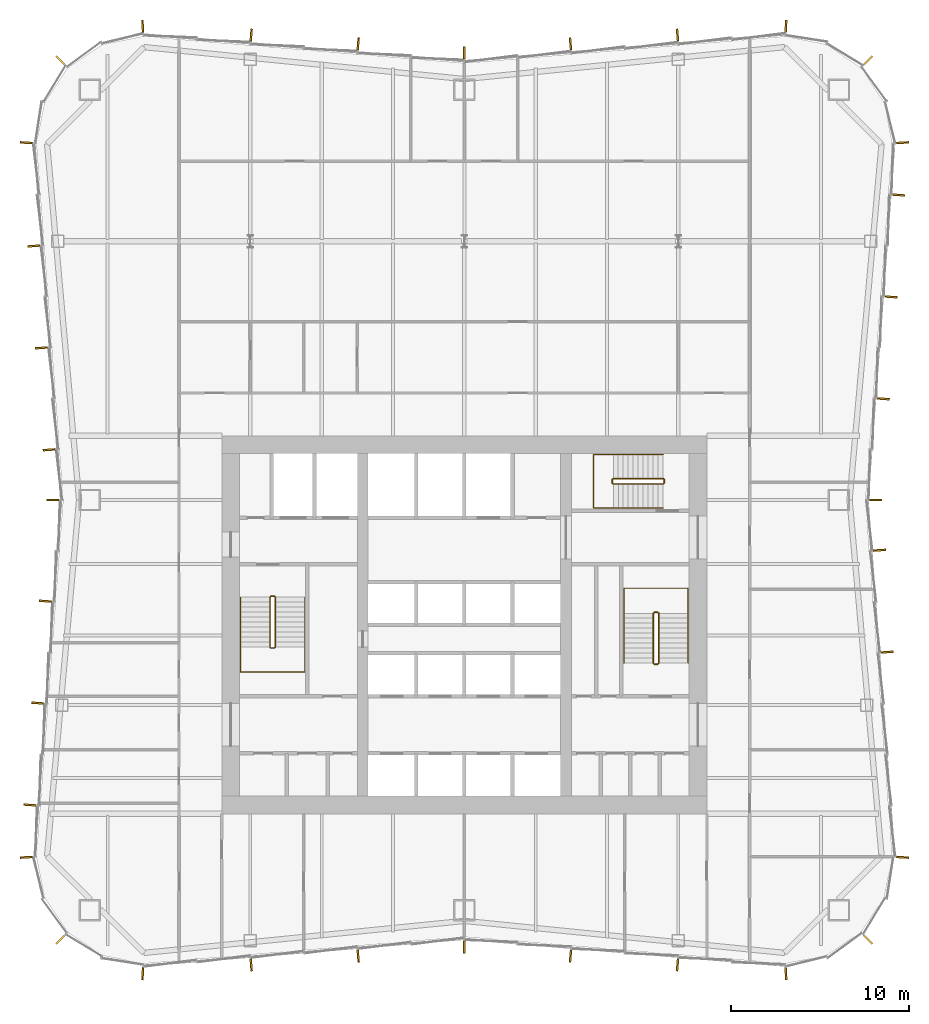
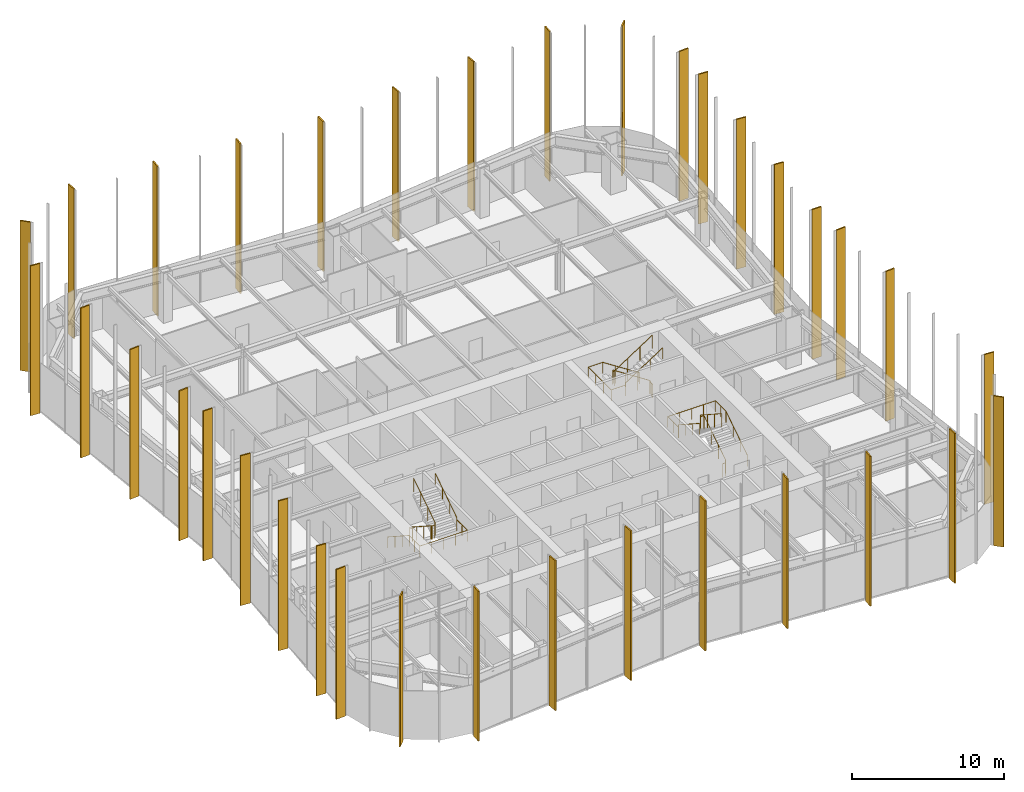
# One storey, part 13 of 13: 35 shading devices, 6 railings.
"""IFC4 building model written with IfcOpenShell, lengths in metres."""

from ifc_helpers import new_model, si_unit, direction, frame, origin, origin_2d, place, context, subcontext, project, spatial, rectangle, circle, extrude, material, layer, layer_set, type_object, element, save


model = new_model("IFC4")

# Units and contexts
model_context = context("Model", 3, precision=1e-05, world=origin(), true_north=direction((0.0, 1.0)))
body_context = subcontext(model_context, "Body", "Model", "MODEL_VIEW")
ifc_project = project(units=[si_unit("LENGTHUNIT", "METRE"), si_unit("AREAUNIT", "SQUARE_METRE"), si_unit("VOLUMEUNIT", "CUBIC_METRE"), si_unit("PLANEANGLEUNIT", "RADIAN"), si_unit("MASSUNIT", "GRAM", prefix="KILO")], contexts=[model_context])

# Site, building, storey
site_placement = place(None, origin())
site = spatial("IfcSite", under=ifc_project, at=site_placement, CompositionType="ELEMENT")
building_placement = place(site_placement, origin())
building = spatial("IfcBuilding", under=site, at=building_placement, Name="Verdant Reach Tower", CompositionType="ELEMENT")
storey_placement = place(building_placement, frame((0.0, 0.0, 126.0)))
storey = spatial("IfcBuildingStorey", under=building, at=storey_placement, Name="L28", CompositionType="ELEMENT", Elevation=126.0)

# Railings
ifc_material_1 = material(Name="Stainless steel", Category="steel")
railing_type_1 = type_object("IfcRailingType", Name="CO-GUARD", PredefinedType="GUARDRAIL", material=ifc_material_1)
railing_1_placement = place(storey_placement, frame((-10.64990234375, 29.60009765625, 0.0)))
element("IfcRailing", 1, at=railing_1_placement, inside=storey, type_object=railing_type_1, Name="L28 ST-1 stair guard 1", PredefinedType="GUARDRAIL", context=body_context, shape_type="SweptSolid", body=[
    extrude(circle(Radius=0.02392578125, at=origin_2d()), frame((0.0, 0.0, 1.076171875), z_axis=(-1.0, 0.0, 0.0), x_axis=(0.0, -1.0, 0.0)), (0.0, 0.0, 1.0), 0.2001953125),
    extrude(circle(Radius=0.02392578125, at=origin_2d()), frame((-0.2001953125, 0.0, 1.076171875), z_axis=(-0.25526617399, -0.256517478764, 0.932222056972), x_axis=(0.708833529934, -0.705375805398, 0.0)), (0.0, 0.0, 1.0), 0.195068359375),
    extrude(circle(Radius=0.02392578125, at=origin_2d()), frame((-0.25, -0.050048828125, 1.2578125), z_axis=(0.0, -0.838705829183, 0.544584733623), x_axis=(1.0, 0.0, 0.0)), (0.0, 0.0, 1.0), 3.338623046875),
    extrude(circle(Radius=0.02392578125, at=origin_2d()), frame((-0.25, -2.85009765625, 3.076171875), z_axis=(0.705375805398, -0.708833529934, 0.0), x_axis=(0.708833529934, 0.705375805398, 0.0)), (0.0, 0.0, 1.0), 0.070556640625),
    extrude(circle(Radius=0.02392578125, at=origin_2d()), frame((-0.2001953125, -2.900146484375, 3.076171875), z_axis=(1.0, 0.0, 0.0), x_axis=(0.0, 1.0, 0.0)), (0.0, 0.0, 1.0), 0.2001953125),
    extrude(circle(Radius=0.02392578125, at=origin_2d()), frame((0.0, -2.900146484375, 3.076171875), z_axis=(0.25526617399, 0.256517478764, 0.932222056972), x_axis=(-0.708833529934, 0.705375805398, 0.0)), (0.0, 0.0, 1.0), 0.195068359375),
    extrude(circle(Radius=0.02392578125, at=origin_2d()), frame((0.0498046875, -2.85009765625, 3.2578125), z_axis=(0.0, 0.838705829183, 0.544584733623), x_axis=(-1.0, 0.0, 0.0)), (0.0, 0.0, 1.0), 3.338623046875),
    extrude(circle(Radius=0.02099609375, at=origin_2d()), origin(), (0.0, 0.0, 1.0), 1.052001953125),
    extrude(circle(Radius=0.02099609375, at=origin_2d()), frame((-0.2001953125, 0.0, 0.0)), (0.0, 0.0, 1.0), 1.052001953125),
    extrude(circle(Radius=0.02099609375, at=origin_2d()), frame((-0.25, -0.050048828125, 0.181884765625)), (0.0, 0.0, 1.0), 1.052001953125),
    extrude(circle(Radius=0.02099609375, at=origin_2d()), frame((-0.25, -0.9833984375, 0.787841796875)), (0.0, 0.0, 1.0), 1.052001953125),
    extrude(circle(Radius=0.02099609375, at=origin_2d()), frame((-0.25, -1.916748046875, 1.39404296875)), (0.0, 0.0, 1.0), 1.052001953125),
    extrude(circle(Radius=0.02099609375, at=origin_2d()), frame((-0.25, -2.85009765625, 2.0)), (0.0, 0.0, 1.0), 1.052001953125),
    extrude(circle(Radius=0.02099609375, at=origin_2d()), frame((-0.2001953125, -2.900146484375, 2.0)), (0.0, 0.0, 1.0), 1.052001953125),
    extrude(circle(Radius=0.02099609375, at=origin_2d()), frame((0.0, -2.900146484375, 2.0)), (0.0, 0.0, 1.0), 1.052001953125),
    extrude(circle(Radius=0.02099609375, at=origin_2d()), frame((0.0498046875, -2.85009765625, 2.181884765625)), (0.0, 0.0, 1.0), 1.052001953125),
    extrude(circle(Radius=0.02099609375, at=origin_2d()), frame((0.0498046875, -1.916748046875, 2.787841796875)), (0.0, 0.0, 1.0), 1.052001953125),
    extrude(circle(Radius=0.02099609375, at=origin_2d()), frame((0.0498046875, -0.9833984375, 3.39404296875)), (0.0, 0.0, 1.0), 1.052001953125),
    extrude(circle(Radius=0.02099609375, at=origin_2d()), frame((0.0498046875, -0.050048828125, 4.0)), (0.0, 0.0, 1.0), 1.052001953125),
])
railing_2_placement = place(storey_placement, frame((10.64990234375, 25.800048828125, 0.0)))
element("IfcRailing", 2, at=railing_2_placement, inside=storey, type_object=railing_type_1, Name="L28 ST-2 stair guard 1", PredefinedType="GUARDRAIL", context=body_context, shape_type="SweptSolid", body=[
    extrude(circle(Radius=0.02392578125, at=origin_2d()), frame((0.0, 0.0, 1.076171875), z_axis=(1.0, 0.0, 0.0), x_axis=(0.0, 1.0, 0.0)), (0.0, 0.0, 1.0), 0.2001953125),
    extrude(circle(Radius=0.02392578125, at=origin_2d()), frame((0.2001953125, 0.0, 1.076171875), z_axis=(0.25526617399, 0.256517478764, 0.932222056972), x_axis=(-0.708833529934, 0.705375805398, 0.0)), (0.0, 0.0, 1.0), 0.195068359375),
    extrude(circle(Radius=0.02392578125, at=origin_2d()), frame((0.25, 0.050048828125, 1.2578125), z_axis=(0.0, 0.83868413941, 0.544618136222), x_axis=(-1.0, 0.0, 0.0)), (0.0, 0.0, 1.0), 3.33837890625),
    extrude(circle(Radius=0.02392578125, at=origin_2d()), frame((0.25, 2.849853515625, 3.076171875), z_axis=(-0.705375805398, 0.708833529934, 0.0), x_axis=(-0.708833529934, -0.705375805398, 0.0)), (0.0, 0.0, 1.0), 0.070556640625),
    extrude(circle(Radius=0.02392578125, at=origin_2d()), frame((0.2001953125, 2.89990234375, 3.076171875), z_axis=(-1.0, 0.0, 0.0), x_axis=(0.0, -1.0, 0.0)), (0.0, 0.0, 1.0), 0.2001953125),
    extrude(circle(Radius=0.02392578125, at=origin_2d()), frame((0.0, 2.89990234375, 3.076171875), z_axis=(-0.25526617399, -0.256517478764, 0.932222056972), x_axis=(0.708833529934, -0.705375805398, 0.0)), (0.0, 0.0, 1.0), 0.195068359375),
    extrude(circle(Radius=0.02392578125, at=origin_2d()), frame((-0.0498046875, 2.849853515625, 3.2578125), z_axis=(0.0, -0.83868413941, 0.544618136222), x_axis=(1.0, 0.0, 0.0)), (0.0, 0.0, 1.0), 3.33837890625),
    extrude(circle(Radius=0.02099609375, at=origin_2d()), origin(), (0.0, 0.0, 1.0), 1.052001953125),
    extrude(circle(Radius=0.02099609375, at=origin_2d()), frame((0.2001953125, 0.0, 0.0)), (0.0, 0.0, 1.0), 1.052001953125),
    extrude(circle(Radius=0.02099609375, at=origin_2d()), frame((0.25, 0.050048828125, 0.181884765625)), (0.0, 0.0, 1.0), 1.052001953125),
    extrude(circle(Radius=0.02099609375, at=origin_2d()), frame((0.25, 0.9833984375, 0.787841796875)), (0.0, 0.0, 1.0), 1.052001953125),
    extrude(circle(Radius=0.02099609375, at=origin_2d()), frame((0.25, 1.91650390625, 1.39404296875)), (0.0, 0.0, 1.0), 1.052001953125),
    extrude(circle(Radius=0.02099609375, at=origin_2d()), frame((0.25, 2.849853515625, 2.0)), (0.0, 0.0, 1.0), 1.052001953125),
    extrude(circle(Radius=0.02099609375, at=origin_2d()), frame((0.2001953125, 2.89990234375, 2.0)), (0.0, 0.0, 1.0), 1.052001953125),
    extrude(circle(Radius=0.02099609375, at=origin_2d()), frame((0.0, 2.89990234375, 2.0)), (0.0, 0.0, 1.0), 1.052001953125),
    extrude(circle(Radius=0.02099609375, at=origin_2d()), frame((-0.0498046875, 2.849853515625, 2.181884765625)), (0.0, 0.0, 1.0), 1.052001953125),
    extrude(circle(Radius=0.02099609375, at=origin_2d()), frame((-0.0498046875, 1.91650390625, 2.787841796875)), (0.0, 0.0, 1.0), 1.052001953125),
    extrude(circle(Radius=0.02099609375, at=origin_2d()), frame((-0.0498046875, 0.9833984375, 3.39404296875)), (0.0, 0.0, 1.0), 1.052001953125),
    extrude(circle(Radius=0.02099609375, at=origin_2d()), frame((-0.0498046875, 0.050048828125, 4.0)), (0.0, 0.0, 1.0), 1.052001953125),
])
railing_3_placement = place(storey_placement, frame((11.199951171875, 35.949951171875, 0.0)))
element("IfcRailing", 3, at=railing_3_placement, inside=storey, type_object=railing_type_1, Name="L28 ST-3 stair guard 1", PredefinedType="GUARDRAIL", context=body_context, shape_type="SweptSolid", body=[
    extrude(circle(Radius=0.02392578125, at=origin_2d()), frame((0.0, 0.0, 1.076171875), z_axis=(0.0, 1.0, 0.0), x_axis=(-1.0, 0.0, 0.0)), (0.0, 0.0, 1.0), 0.199951171875),
    extrude(circle(Radius=0.02392578125, at=origin_2d()), frame((0.0, 0.199951171875, 1.076171875), z_axis=(-0.256435381639, 0.256435381639, 0.931923704005), x_axis=(-0.707106781187, -0.707106781187, 0.0)), (0.0, 0.0, 1.0), 0.195068359375),
    extrude(circle(Radius=0.02392578125, at=origin_2d()), frame((-0.050048828125, 0.25, 1.2578125), z_axis=(-0.83868413941, 0.0, 0.544618136222), x_axis=(0.0, -1.0, 0.0)), (0.0, 0.0, 1.0), 3.33837890625),
    extrude(circle(Radius=0.02392578125, at=origin_2d()), frame((-2.849853515625, 0.25, 3.076171875), z_axis=(-0.707106781187, -0.707106781187, 0.0), x_axis=(0.707106781187, -0.707106781187, 0.0)), (0.0, 0.0, 1.0), 0.07080078125),
    extrude(circle(Radius=0.02392578125, at=origin_2d()), frame((-2.89990234375, 0.199951171875, 3.076171875), z_axis=(0.0, -1.0, 0.0), x_axis=(1.0, 0.0, 0.0)), (0.0, 0.0, 1.0), 0.199951171875),
    extrude(circle(Radius=0.02392578125, at=origin_2d()), frame((-2.89990234375, 0.0, 3.076171875), z_axis=(0.256435381639, -0.256435381639, 0.931923704005), x_axis=(0.707106781187, 0.707106781187, 0.0)), (0.0, 0.0, 1.0), 0.195068359375),
    extrude(circle(Radius=0.02392578125, at=origin_2d()), frame((-2.849853515625, -0.050048828125, 3.2578125), z_axis=(0.83868413941, 0.0, 0.544618136222), x_axis=(0.0, 1.0, 0.0)), (0.0, 0.0, 1.0), 3.33837890625),
    extrude(circle(Radius=0.02099609375, at=origin_2d()), origin(), (0.0, 0.0, 1.0), 1.052001953125),
    extrude(circle(Radius=0.02099609375, at=origin_2d()), frame((0.0, 0.199951171875, 0.0)), (0.0, 0.0, 1.0), 1.052001953125),
    extrude(circle(Radius=0.02099609375, at=origin_2d()), frame((-0.050048828125, 0.25, 0.181884765625)), (0.0, 0.0, 1.0), 1.052001953125),
    extrude(circle(Radius=0.02099609375, at=origin_2d()), frame((-0.9833984375, 0.25, 0.787841796875)), (0.0, 0.0, 1.0), 1.052001953125),
    extrude(circle(Radius=0.02099609375, at=origin_2d()), frame((-1.91650390625, 0.25, 1.39404296875)), (0.0, 0.0, 1.0), 1.052001953125),
    extrude(circle(Radius=0.02099609375, at=origin_2d()), frame((-2.849853515625, 0.25, 2.0)), (0.0, 0.0, 1.0), 1.052001953125),
    extrude(circle(Radius=0.02099609375, at=origin_2d()), frame((-2.89990234375, 0.199951171875, 2.0)), (0.0, 0.0, 1.0), 1.052001953125),
    extrude(circle(Radius=0.02099609375, at=origin_2d()), frame((-2.89990234375, 0.0, 2.0)), (0.0, 0.0, 1.0), 1.052001953125),
    extrude(circle(Radius=0.02099609375, at=origin_2d()), frame((-2.849853515625, -0.050048828125, 2.181884765625)), (0.0, 0.0, 1.0), 1.052001953125),
    extrude(circle(Radius=0.02099609375, at=origin_2d()), frame((-1.91650390625, -0.050048828125, 2.787841796875)), (0.0, 0.0, 1.0), 1.052001953125),
    extrude(circle(Radius=0.02099609375, at=origin_2d()), frame((-0.9833984375, -0.050048828125, 3.39404296875)), (0.0, 0.0, 1.0), 1.052001953125),
    extrude(circle(Radius=0.02099609375, at=origin_2d()), frame((-0.050048828125, -0.050048828125, 4.0)), (0.0, 0.0, 1.0), 1.052001953125),
])
railing_type_2 = type_object("IfcRailingType", Name="CO-HANDRAIL", PredefinedType="HANDRAIL", material=ifc_material_1)
railing_4_placement = place(storey_placement, frame((-12.550048828125, 29.550048828125, 0.181884765625)))
element("IfcRailing", 4, at=railing_4_placement, inside=storey, type_object=railing_type_2, Name="L28 ST-1 stair handrail 1", PredefinedType="HANDRAIL", context=body_context, shape_type="SweptSolid", body=[
    extrude(circle(Radius=0.02392578125, at=origin_2d()), frame((0.0, 0.0, 0.8759765625), z_axis=(0.0, -0.838705829183, 0.544584733623), x_axis=(1.0, 0.0, 0.0)), (0.0, 0.0, 1.0), 3.338623046875),
    extrude(circle(Radius=0.02392578125, at=origin_2d()), frame((0.0, -2.800048828125, 2.69384765625), z_axis=(0.0, -1.0, 0.0), x_axis=(1.0, 0.0, 0.0)), (0.0, 0.0, 1.0), 1.39990234375),
    extrude(circle(Radius=0.02392578125, at=origin_2d()), frame((0.0, -4.199951171875, 2.69384765625), z_axis=(1.0, 0.0, 0.0), x_axis=(0.0, 1.0, 0.0)), (0.0, 0.0, 1.0), 3.60009765625),
    extrude(circle(Radius=0.02392578125, at=origin_2d()), frame((3.60009765625, -4.199951171875, 2.69384765625), z_axis=(0.0, 1.0, 0.0), x_axis=(-1.0, 0.0, 0.0)), (0.0, 0.0, 1.0), 1.39990234375),
    extrude(circle(Radius=0.02392578125, at=origin_2d()), frame((3.60009765625, -2.800048828125, 2.69384765625), z_axis=(0.0, 0.0, 1.0), x_axis=(1.0, 0.0, 0.0)), (0.0, 0.0, 1.0), 0.181884765625),
    extrude(circle(Radius=0.02392578125, at=origin_2d()), frame((3.60009765625, -2.800048828125, 2.8759765625), z_axis=(0.0, 0.838705829183, 0.544584733623), x_axis=(-1.0, 0.0, 0.0)), (0.0, 0.0, 1.0), 3.338623046875),
    extrude(circle(Radius=0.02099609375, at=origin_2d()), origin(), (0.0, 0.0, 1.0), 0.851806640625),
    extrude(circle(Radius=0.02099609375, at=origin_2d()), frame((0.0, -0.933349609375, 0.60595703125)), (0.0, 0.0, 1.0), 0.851806640625),
    extrude(circle(Radius=0.02099609375, at=origin_2d()), frame((0.0, -1.86669921875, 1.212158203125)), (0.0, 0.0, 1.0), 0.851806640625),
    extrude(circle(Radius=0.02099609375, at=origin_2d()), frame((0.0, -2.800048828125, 1.818115234375)), (0.0, 0.0, 1.0), 0.851806640625),
    extrude(circle(Radius=0.02099609375, at=origin_2d()), frame((0.0, -3.5, 1.818115234375)), (0.0, 0.0, 1.0), 0.851806640625),
    extrude(circle(Radius=0.02099609375, at=origin_2d()), frame((0.0, -4.199951171875, 1.818115234375)), (0.0, 0.0, 1.0), 0.851806640625),
    extrude(circle(Radius=0.02099609375, at=origin_2d()), frame((0.89990234375, -4.199951171875, 1.818115234375)), (0.0, 0.0, 1.0), 0.851806640625),
    extrude(circle(Radius=0.02099609375, at=origin_2d()), frame((1.800048828125, -4.199951171875, 1.818115234375)), (0.0, 0.0, 1.0), 0.851806640625),
    extrude(circle(Radius=0.02099609375, at=origin_2d()), frame((2.7001953125, -4.199951171875, 1.818115234375)), (0.0, 0.0, 1.0), 0.851806640625),
    extrude(circle(Radius=0.02099609375, at=origin_2d()), frame((3.60009765625, -4.199951171875, 1.818115234375)), (0.0, 0.0, 1.0), 0.851806640625),
    extrude(circle(Radius=0.02099609375, at=origin_2d()), frame((3.60009765625, -3.5, 1.818115234375)), (0.0, 0.0, 1.0), 0.851806640625),
    extrude(circle(Radius=0.02099609375, at=origin_2d()), frame((3.60009765625, -2.800048828125, 1.818115234375)), (0.0, 0.0, 1.0), 0.851806640625),
    extrude(circle(Radius=0.02099609375, at=origin_2d()), frame((3.60009765625, -2.800048828125, 2.0)), (0.0, 0.0, 1.0), 0.851806640625),
    extrude(circle(Radius=0.02099609375, at=origin_2d()), frame((3.60009765625, -1.86669921875, 2.60595703125)), (0.0, 0.0, 1.0), 0.851806640625),
    extrude(circle(Radius=0.02099609375, at=origin_2d()), frame((3.60009765625, -0.933349609375, 3.212158203125)), (0.0, 0.0, 1.0), 0.851806640625),
    extrude(circle(Radius=0.02099609375, at=origin_2d()), frame((3.60009765625, 0.0, 3.818115234375)), (0.0, 0.0, 1.0), 0.851806640625),
])
railing_5_placement = place(storey_placement, frame((12.550048828125, 25.85009765625, 0.181884765625)))
element("IfcRailing", 5, at=railing_5_placement, inside=storey, type_object=railing_type_2, Name="L28 ST-2 stair handrail 1", PredefinedType="HANDRAIL", context=body_context, shape_type="SweptSolid", body=[
    extrude(circle(Radius=0.02392578125, at=origin_2d()), frame((0.0, 0.0, 0.8759765625), z_axis=(0.0, 0.83868413941, 0.544618136222), x_axis=(-1.0, 0.0, 0.0)), (0.0, 0.0, 1.0), 3.33837890625),
    extrude(circle(Radius=0.02392578125, at=origin_2d()), frame((0.0, 2.7998046875, 2.69384765625), z_axis=(0.0, 1.0, 0.0), x_axis=(-1.0, 0.0, 0.0)), (0.0, 0.0, 1.0), 1.400146484375),
    extrude(circle(Radius=0.02392578125, at=origin_2d()), frame((0.0, 4.199951171875, 2.69384765625), z_axis=(-1.0, 0.0, 0.0), x_axis=(0.0, -1.0, 0.0)), (0.0, 0.0, 1.0), 3.60009765625),
    extrude(circle(Radius=0.02392578125, at=origin_2d()), frame((-3.60009765625, 4.199951171875, 2.69384765625), z_axis=(0.0, -1.0, 0.0), x_axis=(1.0, 0.0, 0.0)), (0.0, 0.0, 1.0), 1.400146484375),
    extrude(circle(Radius=0.02392578125, at=origin_2d()), frame((-3.60009765625, 2.7998046875, 2.69384765625), z_axis=(0.0, 0.0, 1.0), x_axis=(1.0, 0.0, 0.0)), (0.0, 0.0, 1.0), 0.181884765625),
    extrude(circle(Radius=0.02392578125, at=origin_2d()), frame((-3.60009765625, 2.7998046875, 2.8759765625), z_axis=(0.0, -0.83868413941, 0.544618136222), x_axis=(1.0, 0.0, 0.0)), (0.0, 0.0, 1.0), 3.33837890625),
    extrude(circle(Radius=0.02099609375, at=origin_2d()), origin(), (0.0, 0.0, 1.0), 0.851806640625),
    extrude(circle(Radius=0.02099609375, at=origin_2d()), frame((0.0, 0.933349609375, 0.60595703125)), (0.0, 0.0, 1.0), 0.851806640625),
    extrude(circle(Radius=0.02099609375, at=origin_2d()), frame((0.0, 1.866455078125, 1.212158203125)), (0.0, 0.0, 1.0), 0.851806640625),
    extrude(circle(Radius=0.02099609375, at=origin_2d()), frame((0.0, 2.7998046875, 1.818115234375)), (0.0, 0.0, 1.0), 0.851806640625),
    extrude(circle(Radius=0.02099609375, at=origin_2d()), frame((0.0, 3.5, 1.818115234375)), (0.0, 0.0, 1.0), 0.851806640625),
    extrude(circle(Radius=0.02099609375, at=origin_2d()), frame((0.0, 4.199951171875, 1.818115234375)), (0.0, 0.0, 1.0), 0.851806640625),
    extrude(circle(Radius=0.02099609375, at=origin_2d()), frame((-0.89990234375, 4.199951171875, 1.818115234375)), (0.0, 0.0, 1.0), 0.851806640625),
    extrude(circle(Radius=0.02099609375, at=origin_2d()), frame((-1.800048828125, 4.199951171875, 1.818115234375)), (0.0, 0.0, 1.0), 0.851806640625),
    extrude(circle(Radius=0.02099609375, at=origin_2d()), frame((-2.7001953125, 4.199951171875, 1.818115234375)), (0.0, 0.0, 1.0), 0.851806640625),
    extrude(circle(Radius=0.02099609375, at=origin_2d()), frame((-3.60009765625, 4.199951171875, 1.818115234375)), (0.0, 0.0, 1.0), 0.851806640625),
    extrude(circle(Radius=0.02099609375, at=origin_2d()), frame((-3.60009765625, 3.5, 1.818115234375)), (0.0, 0.0, 1.0), 0.851806640625),
    extrude(circle(Radius=0.02099609375, at=origin_2d()), frame((-3.60009765625, 2.7998046875, 1.818115234375)), (0.0, 0.0, 1.0), 0.851806640625),
    extrude(circle(Radius=0.02099609375, at=origin_2d()), frame((-3.60009765625, 2.7998046875, 2.0)), (0.0, 0.0, 1.0), 0.851806640625),
    extrude(circle(Radius=0.02099609375, at=origin_2d()), frame((-3.60009765625, 1.866455078125, 2.60595703125)), (0.0, 0.0, 1.0), 0.851806640625),
    extrude(circle(Radius=0.02099609375, at=origin_2d()), frame((-3.60009765625, 0.933349609375, 3.212158203125)), (0.0, 0.0, 1.0), 0.851806640625),
    extrude(circle(Radius=0.02099609375, at=origin_2d()), frame((-3.60009765625, 0.0, 3.818115234375)), (0.0, 0.0, 1.0), 0.851806640625),
])
railing_6_placement = place(storey_placement, frame((11.14990234375, 37.550048828125, 0.181884765625)))
element("IfcRailing", 6, at=railing_6_placement, inside=storey, type_object=railing_type_2, Name="L28 ST-3 stair handrail 1", PredefinedType="HANDRAIL", context=body_context, shape_type="SweptSolid", body=[
    extrude(circle(Radius=0.02392578125, at=origin_2d()), frame((0.0, 0.0, 0.8759765625), z_axis=(-0.83868413941, 0.0, 0.544618136222), x_axis=(0.0, -1.0, 0.0)), (0.0, 0.0, 1.0), 3.33837890625),
    extrude(circle(Radius=0.02392578125, at=origin_2d()), frame((-2.7998046875, 0.0, 2.69384765625), z_axis=(-1.0, 0.0, 0.0), x_axis=(0.0, -1.0, 0.0)), (0.0, 0.0, 1.0), 1.10009765625),
    extrude(circle(Radius=0.02392578125, at=origin_2d()), frame((-3.89990234375, 0.0, 2.69384765625), z_axis=(0.0, -1.0, 0.0), x_axis=(1.0, 0.0, 0.0)), (0.0, 0.0, 1.0), 3.0),
    extrude(circle(Radius=0.02392578125, at=origin_2d()), frame((-3.89990234375, -3.0, 2.69384765625), z_axis=(1.0, 0.0, 0.0), x_axis=(0.0, 1.0, 0.0)), (0.0, 0.0, 1.0), 1.10009765625),
    extrude(circle(Radius=0.02392578125, at=origin_2d()), frame((-2.7998046875, -3.0, 2.69384765625), z_axis=(0.0, 0.0, 1.0), x_axis=(1.0, 0.0, 0.0)), (0.0, 0.0, 1.0), 0.181884765625),
    extrude(circle(Radius=0.02392578125, at=origin_2d()), frame((-2.7998046875, -3.0, 2.8759765625), z_axis=(0.83868413941, 0.0, 0.544618136222), x_axis=(0.0, 1.0, 0.0)), (0.0, 0.0, 1.0), 3.33837890625),
    extrude(circle(Radius=0.02099609375, at=origin_2d()), origin(), (0.0, 0.0, 1.0), 0.851806640625),
    extrude(circle(Radius=0.02099609375, at=origin_2d()), frame((-0.933349609375, 0.0, 0.60595703125)), (0.0, 0.0, 1.0), 0.851806640625),
    extrude(circle(Radius=0.02099609375, at=origin_2d()), frame((-1.866455078125, 0.0, 1.212158203125)), (0.0, 0.0, 1.0), 0.851806640625),
    extrude(circle(Radius=0.02099609375, at=origin_2d()), frame((-2.7998046875, 0.0, 1.818115234375)), (0.0, 0.0, 1.0), 0.851806640625),
    extrude(circle(Radius=0.02099609375, at=origin_2d()), frame((-3.89990234375, 0.0, 1.818115234375)), (0.0, 0.0, 1.0), 0.851806640625),
    extrude(circle(Radius=0.02099609375, at=origin_2d()), frame((-3.89990234375, -1.0, 1.818115234375)), (0.0, 0.0, 1.0), 0.851806640625),
    extrude(circle(Radius=0.02099609375, at=origin_2d()), frame((-3.89990234375, -2.0, 1.818115234375)), (0.0, 0.0, 1.0), 0.851806640625),
    extrude(circle(Radius=0.02099609375, at=origin_2d()), frame((-3.89990234375, -3.0, 1.818115234375)), (0.0, 0.0, 1.0), 0.851806640625),
    extrude(circle(Radius=0.02099609375, at=origin_2d()), frame((-2.7998046875, -3.0, 1.818115234375)), (0.0, 0.0, 1.0), 0.851806640625),
    extrude(circle(Radius=0.02099609375, at=origin_2d()), frame((-2.7998046875, -3.0, 2.0)), (0.0, 0.0, 1.0), 0.851806640625),
    extrude(circle(Radius=0.02099609375, at=origin_2d()), frame((-1.866455078125, -3.0, 2.60595703125)), (0.0, 0.0, 1.0), 0.851806640625),
    extrude(circle(Radius=0.02099609375, at=origin_2d()), frame((-0.933349609375, -3.0, 3.212158203125)), (0.0, 0.0, 1.0), 0.851806640625),
    extrude(circle(Radius=0.02099609375, at=origin_2d()), frame((0.0, -3.0, 3.818115234375)), (0.0, 0.0, 1.0), 0.851806640625),
])

# Shading devices
ifc_material_2 = material(Name="Bronze fin, champagne", Category="aluminium")
ifc_layer_1 = layer(ifc_material_2, 0.10009765625)
ifc_layer_set_1 = layer_set([ifc_layer_1], Name="EN-FIN CHAMPAGNE")
shading_device_type_1 = type_object("IfcShadingDeviceType", Name="EN-FIN CHAMPAGNE", PredefinedType="USERDEFINED", material=ifc_layer_set_1)
for number, where, z_axis, x_axis, name in (
    (7, (23.91748046875, 46.386474609375, -0.35009765625), (0.0, 0.0, 1.0), (0.074789948245, 0.997199309888, 0.0), "Fin east face part 2 5, L28"),
    (8, (22.639892578125, 59.639892578125, -0.35009765625), (0.0, 0.0, 1.0), (-0.707106781187, 0.707106781187, 0.0), "Fin north-east corner 3, L28"),
    (9, (18.03173828125, 61.56103515625, -0.35009765625), (0.0, 0.0, 1.0), (-0.998398681387, 0.056569187765, 0.0), "Fin north face part 1 1, L28"),
    (10, (-5.953369140625, 60.56005859375, -0.35009765625), (0.0, 0.0, 1.0), (-0.996545758244, 0.083045479859, 0.0), "Fin north face part 2 3, L28"),
    (11, (-18.03173828125, 61.56103515625, -0.35009765625), (0.0, 0.0, 1.0), (-0.998398681387, -0.056569187765, 0.0), "Fin north-west corner 1, L28"),
    (12, (-24.56103515625, 55.0341796875, -0.35009765625), (0.0, 0.0, 1.0), (-0.060702752526, -0.998155887542, 0.0), "Fin west face part 1 1, L28"),
    (13, (-23.274658203125, 37.815185546875, -0.35009765625), (0.0, 0.0, 1.0), (0.074789948245, -0.997199309888, 0.0), "Fin west face part 1 7, L28"),
    (14, (-23.06201171875, 35.0, -0.35009765625), (0.0, 0.0, 1.0), (0.0, -1.0, 0.0), "Fin west face part 2 1, L28"),
    (15, (-24.56103515625, 14.9658203125, -0.35009765625), (0.0, 0.0, 1.0), (0.060702752526, -0.998155887542, 0.0), "Fin south-west corner 1, L28"),
    (16, (-5.953369140625, 9.43994140625, -0.35009765625), (0.0, 0.0, 1.0), (0.996545758244, 0.083045479859, 0.0), "Fin south face part 1 5, L28"),
):
    element("IfcShadingDevice", number, at=place(storey_placement, frame(where, z_axis=z_axis, x_axis=x_axis)), inside=storey, type_object=shading_device_type_1, Name=name, ObjectType="FIN", PredefinedType="USERDEFINED", context=body_context, shape_type="SweptSolid", body=[
        extrude(rectangle(XDim=0.10009765625, YDim=0.699951171875, at=origin_2d()), origin(), (0.0, 0.0, 1.0), 12.0),
    ])
ifc_material_3 = material(Name="Bronze fin, copper", Category="aluminium")
ifc_layer_2 = layer(ifc_material_3, 0.10009765625)
ifc_layer_set_2 = layer_set([ifc_layer_2], Name="EN-FIN COPPER")
shading_device_type_2 = type_object("IfcShadingDeviceType", Name="EN-FIN COPPER", PredefinedType="USERDEFINED", material=ifc_layer_set_2)
for number, where, z_axis, x_axis, name in (
    (17, (18.03173828125, 8.43896484375, -0.35009765625), (0.0, 0.0, 1.0), (0.998398681387, 0.056569187765, 0.0), "Fin south-east corner 1, L28"),
    (18, (23.703369140625, 26.470703125, -0.35009765625), (0.0, 0.0, 1.0), (-0.074789948245, 0.997199309888, 0.0), "Fin east face part 1 5, L28"),
    (19, (23.274658203125, 32.184814453125, -0.35009765625), (0.0, 0.0, 1.0), (-0.074789948245, 0.997199309888, 0.0), "Fin east face part 1 7, L28"),
    (20, (23.06201171875, 35.0, -0.35009765625), (0.0, 0.0, 1.0), (0.0, 1.0, 0.0), "Fin east face part 2 1, L28"),
    (21, (24.34619140625, 52.100830078125, -0.35009765625), (0.0, 0.0, 1.0), (0.074789948245, 0.997199309888, 0.0), "Fin east face part 2 7, L28"),
    (22, (11.953369140625, 61.06005859375, -0.35009765625), (0.0, 0.0, 1.0), (-0.996545758244, -0.083045479859, 0.0), "Fin north face part 1 3, L28"),
    (23, (5.953369140625, 60.56005859375, -0.35009765625), (0.0, 0.0, 1.0), (-0.996545758244, -0.083045479859, 0.0), "Fin north face part 1 5, L28"),
    (24, (-11.953369140625, 61.06005859375, -0.35009765625), (0.0, 0.0, 1.0), (-0.996545758244, 0.083045479859, 0.0), "Fin north face part 2 5, L28"),
    (25, (-22.639892578125, 59.639892578125, -0.35009765625), (0.0, 0.0, 1.0), (-0.707106781187, -0.707106781187, 0.0), "Fin north-west corner 3, L28"),
    (26, (-24.1318359375, 49.24365234375, -0.35009765625), (0.0, 0.0, 1.0), (0.074789948245, -0.997199309888, 0.0), "Fin west face part 1 3, L28"),
    (27, (-23.489013671875, 29.32763671875, -0.35009765625), (0.0, 0.0, 1.0), (-0.074789948245, -0.997199309888, 0.0), "Fin west face part 2 3, L28"),
    (28, (-23.91748046875, 23.613525390625, -0.35009765625), (0.0, 0.0, 1.0), (-0.074789948245, -0.997199309888, 0.0), "Fin west face part 2 5, L28"),
    (29, (-22.639892578125, 10.360107421875, -0.35009765625), (0.0, 0.0, 1.0), (0.707106781187, -0.707106781187, 0.0), "Fin south-west corner 3, L28"),
    (30, (-18.03173828125, 8.43896484375, -0.35009765625), (0.0, 0.0, 1.0), (0.998398681387, -0.056569187765, 0.0), "Fin south face part 1 1, L28"),
    (31, (0.0, 9.93798828125, -0.35009765625), (0.0, 0.0, 1.0), (1.0, 0.0, 0.0), "Fin south face part 2 1, L28"),
):
    element("IfcShadingDevice", number, at=place(storey_placement, frame(where, z_axis=z_axis, x_axis=x_axis)), inside=storey, type_object=shading_device_type_2, Name=name, ObjectType="FIN", PredefinedType="USERDEFINED", context=body_context, shape_type="SweptSolid", body=[
        extrude(rectangle(XDim=0.10009765625, YDim=0.699951171875, at=origin_2d()), origin(), (0.0, 0.0, 1.0), 12.0),
    ])
ifc_material_4 = material(Name="Bronze fin, dark bronze", Category="aluminium")
ifc_layer_3 = layer(ifc_material_4, 0.10009765625)
ifc_layer_set_3 = layer_set([ifc_layer_3], Name="EN-FIN DARK")
shading_device_type_3 = type_object("IfcShadingDeviceType", Name="EN-FIN DARK", PredefinedType="USERDEFINED", material=ifc_layer_set_3)
for number, where, z_axis, x_axis, name in (
    (32, (22.639892578125, 10.360107421875, -0.35009765625), (0.0, 0.0, 1.0), (0.707106781187, 0.707106781187, 0.0), "Fin south-east corner 3, L28"),
    (33, (24.56103515625, 14.9658203125, -0.35009765625), (0.0, 0.0, 1.0), (0.060702752526, 0.998155887542, 0.0), "Fin east face part 1 1, L28"),
    (34, (23.489013671875, 40.67236328125, -0.35009765625), (0.0, 0.0, 1.0), (0.074789948245, 0.997199309888, 0.0), "Fin east face part 2 3, L28"),
    (35, (24.56103515625, 55.0341796875, -0.35009765625), (0.0, 0.0, 1.0), (-0.060702752526, 0.998155887542, 0.0), "Fin north-east corner 1, L28"),
    (36, (0.0, 60.06201171875, -0.35009765625), (0.0, 0.0, 1.0), (-1.0, 0.0, 0.0), "Fin north face part 2 1, L28"),
    (37, (-23.703369140625, 43.529296875, -0.35009765625), (0.0, 0.0, 1.0), (0.074789948245, -0.997199309888, 0.0), "Fin west face part 1 5, L28"),
    (38, (-24.34619140625, 17.899169921875, -0.35009765625), (0.0, 0.0, 1.0), (-0.074789948245, -0.997199309888, 0.0), "Fin west face part 2 7, L28"),
    (39, (-11.953369140625, 8.93994140625, -0.35009765625), (0.0, 0.0, 1.0), (0.996545758244, 0.083045479859, 0.0), "Fin south face part 1 3, L28"),
    (40, (5.953369140625, 9.43994140625, -0.35009765625), (0.0, 0.0, 1.0), (0.996545758244, -0.083045479859, 0.0), "Fin south face part 2 3, L28"),
    (41, (11.953369140625, 8.93994140625, -0.35009765625), (0.0, 0.0, 1.0), (0.996545758244, -0.083045479859, 0.0), "Fin south face part 2 5, L28"),
):
    element("IfcShadingDevice", number, at=place(storey_placement, frame(where, z_axis=z_axis, x_axis=x_axis)), inside=storey, type_object=shading_device_type_3, Name=name, ObjectType="FIN", PredefinedType="USERDEFINED", context=body_context, shape_type="SweptSolid", body=[
        extrude(rectangle(XDim=0.10009765625, YDim=0.699951171875, at=origin_2d()), origin(), (0.0, 0.0, 1.0), 12.0),
    ])

save(model, "model.ifc")
